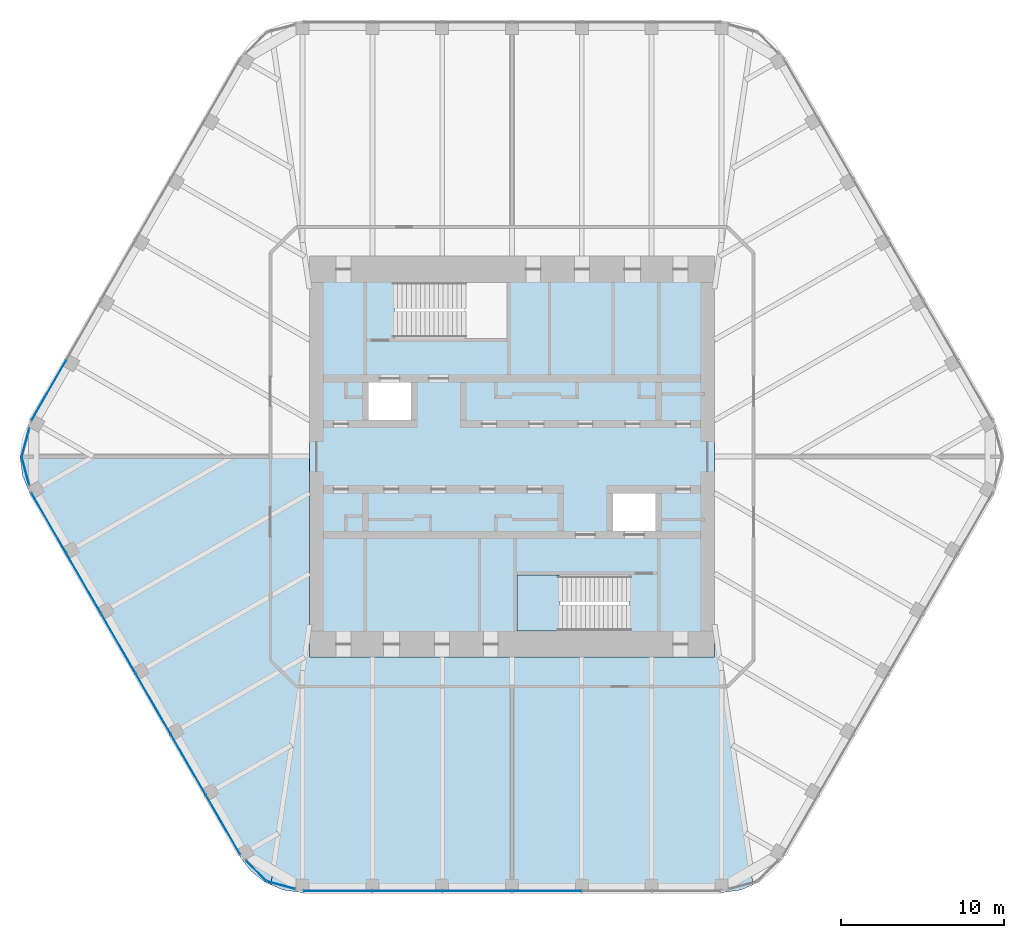
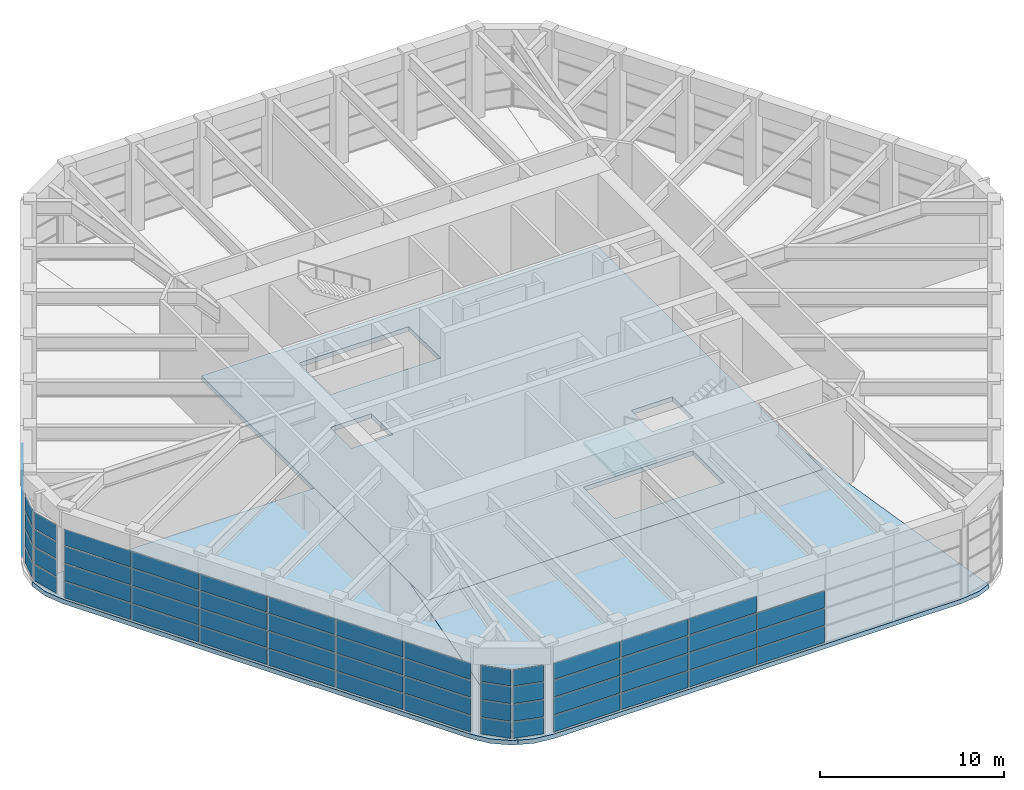
# One storey, part 10 of 16: 59 plates, 4 slabs, 8 elements without a shape of their own.
"""IFC4 building model written with IfcOpenShell, lengths in metres."""

from ifc_helpers import new_model, si_unit, direction, frame, origin, origin_2d, place, context, subcontext, project, spatial, polyline, rectangle, outline, extrude, material, layer, layer_set, type_object, element, aggregate, save


model = new_model("IFC4")

# Units and contexts
model_context = context("Model", 3, precision=1e-05, world=origin(), true_north=direction((0.0, 1.0)))
body_context = subcontext(model_context, "Body", "Model", "MODEL_VIEW")
ifc_project = project(units=[si_unit("LENGTHUNIT", "METRE"), si_unit("AREAUNIT", "SQUARE_METRE"), si_unit("VOLUMEUNIT", "CUBIC_METRE"), si_unit("PLANEANGLEUNIT", "RADIAN"), si_unit("MASSUNIT", "GRAM", prefix="KILO")], contexts=[model_context])

# Site, building, storey
site_placement = place(None, origin())
site = spatial("IfcSite", under=ifc_project, at=site_placement, CompositionType="ELEMENT")
building_placement = place(site_placement, origin())
building = spatial("IfcBuilding", under=site, at=building_placement, Name="Tarfa Lantern Tower", CompositionType="ELEMENT")
storey_placement = place(building_placement, frame((0.0, 0.0, 396.300048828125)))
storey = spatial("IfcBuildingStorey", under=building, at=storey_placement, Name="L90", CompositionType="ELEMENT", Elevation=396.300048828125)

# Curtain wall, plates
ifc_material_1 = material(Name="Aluminium framed curtain wall", Category="aluminium")
curtain_wall_type = type_object("IfcCurtainWallType", Name="CW8 LANTERN GLAZING 4700", PredefinedType="USERDEFINED", material=ifc_material_1)
curtain_wall_1_placement = place(storey_placement, origin())
curtain_wall_1 = element("IfcCurtainWall", 1, at=curtain_wall_1_placement, inside=storey, type_object=curtain_wall_type, Name="CW8 NWSW1 L90", ObjectType="CURTAIN WALL", PredefinedType="USERDEFINED")
ifc_material_2 = material(Name="Laminated double glazing", Category="glass")
ifc_layer_1 = layer(ifc_material_2, 0.028076171875)
ifc_layer_set_1 = layer_set([ifc_layer_1], Name="CWP1 DOUBLE GLAZED PANEL")
plate_type = type_object("IfcPlateType", Name="CWP1 DOUBLE GLAZED PANEL", PredefinedType="CURTAIN_PANEL", material=ifc_layer_set_1)
plate_1_placement = place(storey_placement, frame((-29.8544921875, 0.886962890625, 0.06494140625), z_axis=(0.0, 0.0, 1.0), x_axis=(-0.258818953611, -0.965925850804, 0.0)))
plate_1 = element("IfcPlate", 2, at=plate_1_placement, type_object=plate_type, Name="CW8 panel 1.1", PredefinedType="CURTAIN_PANEL", context=body_context, shape_type="SweptSolid", body=[
    extrude(rectangle(XDim=1.706787109375, YDim=0.028076171875, at=origin_2d()), origin(), (0.0, 0.0, 1.0), 1.077392578125),
])
plate_2_placement = place(storey_placement, frame((-29.8544921875, 0.886962890625, 1.20751953125), z_axis=(0.0, 0.0, 1.0), x_axis=(-0.258818953611, -0.965925850804, 0.0)))
plate_2 = element("IfcPlate", 3, at=plate_2_placement, type_object=plate_type, Name="CW8 panel 1.2", PredefinedType="CURTAIN_PANEL", context=body_context, shape_type="SweptSolid", body=[
    extrude(rectangle(XDim=1.706787109375, YDim=0.028076171875, at=origin_2d()), origin(), (0.0, 0.0, 1.0), 1.110107421875),
])
plate_3_placement = place(storey_placement, frame((-29.8544921875, 0.886962890625, 2.38232421875), z_axis=(0.0, 0.0, 1.0), x_axis=(-0.258818953611, -0.965925850804, 0.0)))
plate_3 = element("IfcPlate", 4, at=plate_3_placement, type_object=plate_type, Name="CW8 panel 1.3", PredefinedType="CURTAIN_PANEL", context=body_context, shape_type="SweptSolid", body=[
    extrude(rectangle(XDim=1.706787109375, YDim=0.028076171875, at=origin_2d()), origin(), (0.0, 0.0, 1.0), 1.110107421875),
])
plate_4_placement = place(storey_placement, frame((-29.8544921875, 0.886962890625, 3.5576171875), z_axis=(0.0, 0.0, 1.0), x_axis=(-0.258818953611, -0.965925850804, 0.0)))
plate_4 = element("IfcPlate", 5, at=plate_4_placement, type_object=plate_type, Name="CW8 panel 1.4", PredefinedType="CURTAIN_PANEL", context=body_context, shape_type="SweptSolid", body=[
    extrude(rectangle(XDim=1.706787109375, YDim=0.028076171875, at=origin_2d()), origin(), (0.0, 0.0, 1.0), 1.077392578125),
])
aggregate(curtain_wall_1, [plate_1, plate_2, plate_3, plate_4])

curtain_wall_2_placement = place(storey_placement, origin())
curtain_wall_2 = element("IfcCurtainWall", 6, at=curtain_wall_2_placement, inside=storey, type_object=curtain_wall_type, Name="CW8 NWSW2 L90", ObjectType="CURTAIN WALL", PredefinedType="USERDEFINED")
plate_5_placement = place(storey_placement, frame((-29.8544921875, -0.886962890625, 0.06494140625), z_axis=(0.0, 0.0, 1.0), x_axis=(0.258818953611, -0.965925850804, 0.0)))
plate_5 = element("IfcPlate", 7, at=plate_5_placement, type_object=plate_type, Name="CW8 panel 1.1", PredefinedType="CURTAIN_PANEL", context=body_context, shape_type="SweptSolid", body=[
    extrude(rectangle(XDim=1.706787109375, YDim=0.028076171875, at=origin_2d()), origin(), (0.0, 0.0, 1.0), 1.077392578125),
])
plate_6_placement = place(storey_placement, frame((-29.8544921875, -0.886962890625, 1.20751953125), z_axis=(0.0, 0.0, 1.0), x_axis=(0.258818953611, -0.965925850804, 0.0)))
plate_6 = element("IfcPlate", 8, at=plate_6_placement, type_object=plate_type, Name="CW8 panel 1.2", PredefinedType="CURTAIN_PANEL", context=body_context, shape_type="SweptSolid", body=[
    extrude(rectangle(XDim=1.706787109375, YDim=0.028076171875, at=origin_2d()), origin(), (0.0, 0.0, 1.0), 1.110107421875),
])
plate_7_placement = place(storey_placement, frame((-29.8544921875, -0.886962890625, 2.38232421875), z_axis=(0.0, 0.0, 1.0), x_axis=(0.258818953611, -0.965925850804, 0.0)))
plate_7 = element("IfcPlate", 9, at=plate_7_placement, type_object=plate_type, Name="CW8 panel 1.3", PredefinedType="CURTAIN_PANEL", context=body_context, shape_type="SweptSolid", body=[
    extrude(rectangle(XDim=1.706787109375, YDim=0.028076171875, at=origin_2d()), origin(), (0.0, 0.0, 1.0), 1.110107421875),
])
plate_8_placement = place(storey_placement, frame((-29.8544921875, -0.886962890625, 3.5576171875), z_axis=(0.0, 0.0, 1.0), x_axis=(0.258818953611, -0.965925850804, 0.0)))
plate_8 = element("IfcPlate", 10, at=plate_8_placement, type_object=plate_type, Name="CW8 panel 1.4", PredefinedType="CURTAIN_PANEL", context=body_context, shape_type="SweptSolid", body=[
    extrude(rectangle(XDim=1.706787109375, YDim=0.028076171875, at=origin_2d()), origin(), (0.0, 0.0, 1.0), 1.077392578125),
])
aggregate(curtain_wall_2, [plate_5, plate_6, plate_7, plate_8])

curtain_wall_3_placement = place(storey_placement, origin())
curtain_wall_3 = element("IfcCurtainWall", 11, at=curtain_wall_3_placement, inside=storey, type_object=curtain_wall_type, Name="CW8 SWS1 L90", ObjectType="CURTAIN WALL", PredefinedType="USERDEFINED")
plate_9_placement = place(storey_placement, frame((-15.6953125, -25.4111328125, 0.06494140625), z_axis=(0.0, 0.0, 1.0), x_axis=(0.707106781187, -0.707106781187, 0.0)))
plate_9 = element("IfcPlate", 12, at=plate_9_placement, type_object=plate_type, Name="CW8 panel 1.1", PredefinedType="CURTAIN_PANEL", context=body_context, shape_type="SweptSolid", body=[
    extrude(rectangle(XDim=1.706787109375, YDim=0.028076171875, at=origin_2d()), origin(), (0.0, 0.0, 1.0), 1.077392578125),
])
plate_10_placement = place(storey_placement, frame((-15.6953125, -25.4111328125, 1.20751953125), z_axis=(0.0, 0.0, 1.0), x_axis=(0.707106781187, -0.707106781187, 0.0)))
plate_10 = element("IfcPlate", 13, at=plate_10_placement, type_object=plate_type, Name="CW8 panel 1.2", PredefinedType="CURTAIN_PANEL", context=body_context, shape_type="SweptSolid", body=[
    extrude(rectangle(XDim=1.706787109375, YDim=0.028076171875, at=origin_2d()), origin(), (0.0, 0.0, 1.0), 1.110107421875),
])
plate_11_placement = place(storey_placement, frame((-15.6953125, -25.4111328125, 2.38232421875), z_axis=(0.0, 0.0, 1.0), x_axis=(0.707106781187, -0.707106781187, 0.0)))
plate_11 = element("IfcPlate", 14, at=plate_11_placement, type_object=plate_type, Name="CW8 panel 1.3", PredefinedType="CURTAIN_PANEL", context=body_context, shape_type="SweptSolid", body=[
    extrude(rectangle(XDim=1.706787109375, YDim=0.028076171875, at=origin_2d()), origin(), (0.0, 0.0, 1.0), 1.110107421875),
])
plate_12_placement = place(storey_placement, frame((-15.6953125, -25.4111328125, 3.5576171875), z_axis=(0.0, 0.0, 1.0), x_axis=(0.707106781187, -0.707106781187, 0.0)))
plate_12 = element("IfcPlate", 15, at=plate_12_placement, type_object=plate_type, Name="CW8 panel 1.4", PredefinedType="CURTAIN_PANEL", context=body_context, shape_type="SweptSolid", body=[
    extrude(rectangle(XDim=1.706787109375, YDim=0.028076171875, at=origin_2d()), origin(), (0.0, 0.0, 1.0), 1.077392578125),
])
aggregate(curtain_wall_3, [plate_9, plate_10, plate_11, plate_12])

curtain_wall_4_placement = place(storey_placement, origin())
curtain_wall_4 = element("IfcCurtainWall", 16, at=curtain_wall_4_placement, inside=storey, type_object=curtain_wall_type, Name="CW8 SWS2 L90", ObjectType="CURTAIN WALL", PredefinedType="USERDEFINED")
plate_13_placement = place(storey_placement, frame((-14.158935546875, -26.298095703125, 0.06494140625), z_axis=(0.0, 0.0, 1.0), x_axis=(0.965925850804, -0.258818953611, 0.0)))
plate_13 = element("IfcPlate", 17, at=plate_13_placement, type_object=plate_type, Name="CW8 panel 1.1", PredefinedType="CURTAIN_PANEL", context=body_context, shape_type="SweptSolid", body=[
    extrude(rectangle(XDim=1.706787109375, YDim=0.028076171875, at=origin_2d()), origin(), (0.0, 0.0, 1.0), 1.077392578125),
])
plate_14_placement = place(storey_placement, frame((-14.158935546875, -26.298095703125, 1.20751953125), z_axis=(0.0, 0.0, 1.0), x_axis=(0.965925850804, -0.258818953611, 0.0)))
plate_14 = element("IfcPlate", 18, at=plate_14_placement, type_object=plate_type, Name="CW8 panel 1.2", PredefinedType="CURTAIN_PANEL", context=body_context, shape_type="SweptSolid", body=[
    extrude(rectangle(XDim=1.706787109375, YDim=0.028076171875, at=origin_2d()), origin(), (0.0, 0.0, 1.0), 1.110107421875),
])
plate_15_placement = place(storey_placement, frame((-14.158935546875, -26.298095703125, 2.38232421875), z_axis=(0.0, 0.0, 1.0), x_axis=(0.965925850804, -0.258818953611, 0.0)))
plate_15 = element("IfcPlate", 19, at=plate_15_placement, type_object=plate_type, Name="CW8 panel 1.3", PredefinedType="CURTAIN_PANEL", context=body_context, shape_type="SweptSolid", body=[
    extrude(rectangle(XDim=1.706787109375, YDim=0.028076171875, at=origin_2d()), origin(), (0.0, 0.0, 1.0), 1.110107421875),
])
plate_16_placement = place(storey_placement, frame((-14.158935546875, -26.298095703125, 3.5576171875), z_axis=(0.0, 0.0, 1.0), x_axis=(0.965925850804, -0.258818953611, 0.0)))
plate_16 = element("IfcPlate", 20, at=plate_16_placement, type_object=plate_type, Name="CW8 panel 1.4", PredefinedType="CURTAIN_PANEL", context=body_context, shape_type="SweptSolid", body=[
    extrude(rectangle(XDim=1.706787109375, YDim=0.028076171875, at=origin_2d()), origin(), (0.0, 0.0, 1.0), 1.077392578125),
])
aggregate(curtain_wall_4, [plate_13, plate_14, plate_15, plate_16])

curtain_wall_5_placement = place(storey_placement, origin())
curtain_wall_5 = element("IfcCurtainWall", 21, at=curtain_wall_5_placement, inside=storey, type_object=curtain_wall_type, Name="CW8 NW L90", ObjectType="CURTAIN WALL", PredefinedType="USERDEFINED")
plate_17_placement = place(storey_placement, frame((-28.424072265625, 4.068359375, 0.06494140625), z_axis=(0.0, 0.0, 1.0), x_axis=(-0.5, -0.866025403784, 0.0)))
plate_17 = element("IfcPlate", 22, at=plate_17_placement, type_object=plate_type, Name="CW8 panel 6.1", PredefinedType="CURTAIN_PANEL", context=body_context, shape_type="SweptSolid", body=[
    extrude(rectangle(XDim=4.1845703125, YDim=0.028076171875, at=origin_2d()), origin(), (0.0, 0.0, 1.0), 1.077392578125),
])
plate_18_placement = place(storey_placement, frame((-28.424072265625, 4.068359375, 1.20751953125), z_axis=(0.0, 0.0, 1.0), x_axis=(-0.5, -0.866025403784, 0.0)))
plate_18 = element("IfcPlate", 23, at=plate_18_placement, type_object=plate_type, Name="CW8 panel 6.2", PredefinedType="CURTAIN_PANEL", context=body_context, shape_type="SweptSolid", body=[
    extrude(rectangle(XDim=4.1845703125, YDim=0.028076171875, at=origin_2d()), origin(), (0.0, 0.0, 1.0), 1.110107421875),
])
plate_19_placement = place(storey_placement, frame((-28.424072265625, 4.068359375, 2.38232421875), z_axis=(0.0, 0.0, 1.0), x_axis=(-0.5, -0.866025403784, 0.0)))
plate_19 = element("IfcPlate", 24, at=plate_19_placement, type_object=plate_type, Name="CW8 panel 6.3", PredefinedType="CURTAIN_PANEL", context=body_context, shape_type="SweptSolid", body=[
    extrude(rectangle(XDim=4.1845703125, YDim=0.028076171875, at=origin_2d()), origin(), (0.0, 0.0, 1.0), 1.110107421875),
])
plate_20_placement = place(storey_placement, frame((-28.424072265625, 4.068359375, 3.5576171875), z_axis=(0.0, 0.0, 1.0), x_axis=(-0.5, -0.866025403784, 0.0)))
plate_20 = element("IfcPlate", 25, at=plate_20_placement, type_object=plate_type, Name="CW8 panel 6.4", PredefinedType="CURTAIN_PANEL", context=body_context, shape_type="SweptSolid", body=[
    extrude(rectangle(XDim=4.1845703125, YDim=0.028076171875, at=origin_2d()), origin(), (0.0, 0.0, 1.0), 1.077392578125),
])
aggregate(curtain_wall_5, [plate_17, plate_18, plate_19, plate_20])

curtain_wall_6_placement = place(storey_placement, origin())
curtain_wall_6 = element("IfcCurtainWall", 26, at=curtain_wall_6_placement, inside=storey, type_object=curtain_wall_type, Name="CW8 SW L90", ObjectType="CURTAIN WALL", PredefinedType="USERDEFINED")
plate_21_placement = place(storey_placement, frame((-28.424072265625, -4.068359375, 0.06494140625), z_axis=(0.0, 0.0, 1.0), x_axis=(0.5, -0.866025403784, 0.0)))
plate_21 = element("IfcPlate", 27, at=plate_21_placement, type_object=plate_type, Name="CW8 panel 1.1", PredefinedType="CURTAIN_PANEL", context=body_context, shape_type="SweptSolid", body=[
    extrude(rectangle(XDim=4.1845703125, YDim=0.028076171875, at=origin_2d()), origin(), (0.0, 0.0, 1.0), 1.077392578125),
])
plate_22_placement = place(storey_placement, frame((-28.424072265625, -4.068359375, 1.20751953125), z_axis=(0.0, 0.0, 1.0), x_axis=(0.5, -0.866025403784, 0.0)))
plate_22 = element("IfcPlate", 28, at=plate_22_placement, type_object=plate_type, Name="CW8 panel 1.2", PredefinedType="CURTAIN_PANEL", context=body_context, shape_type="SweptSolid", body=[
    extrude(rectangle(XDim=4.1845703125, YDim=0.028076171875, at=origin_2d()), origin(), (0.0, 0.0, 1.0), 1.110107421875),
])
plate_23_placement = place(storey_placement, frame((-28.424072265625, -4.068359375, 2.38232421875), z_axis=(0.0, 0.0, 1.0), x_axis=(0.5, -0.866025403784, 0.0)))
plate_23 = element("IfcPlate", 29, at=plate_23_placement, type_object=plate_type, Name="CW8 panel 1.3", PredefinedType="CURTAIN_PANEL", context=body_context, shape_type="SweptSolid", body=[
    extrude(rectangle(XDim=4.1845703125, YDim=0.028076171875, at=origin_2d()), origin(), (0.0, 0.0, 1.0), 1.110107421875),
])
plate_24_placement = place(storey_placement, frame((-28.424072265625, -4.068359375, 3.5576171875), z_axis=(0.0, 0.0, 1.0), x_axis=(0.5, -0.866025403784, 0.0)))
plate_24 = element("IfcPlate", 30, at=plate_24_placement, type_object=plate_type, Name="CW8 panel 1.4", PredefinedType="CURTAIN_PANEL", context=body_context, shape_type="SweptSolid", body=[
    extrude(rectangle(XDim=4.1845703125, YDim=0.028076171875, at=origin_2d()), origin(), (0.0, 0.0, 1.0), 1.077392578125),
])
plate_25_placement = place(storey_placement, frame((-26.291015625, -7.762451171875, 0.06494140625), z_axis=(0.0, 0.0, 1.0), x_axis=(0.5, -0.866025403784, 0.0)))
plate_25 = element("IfcPlate", 31, at=plate_25_placement, type_object=plate_type, Name="CW8 panel 2.1", PredefinedType="CURTAIN_PANEL", context=body_context, shape_type="SweptSolid", body=[
    extrude(rectangle(XDim=4.217041015625, YDim=0.028076171875, at=origin_2d()), origin(), (0.0, 0.0, 1.0), 1.077392578125),
])
plate_26_placement = place(storey_placement, frame((-26.291015625, -7.762451171875, 1.20751953125), z_axis=(0.0, 0.0, 1.0), x_axis=(0.5, -0.866025403784, 0.0)))
plate_26 = element("IfcPlate", 32, at=plate_26_placement, type_object=plate_type, Name="CW8 panel 2.2", PredefinedType="CURTAIN_PANEL", context=body_context, shape_type="SweptSolid", body=[
    extrude(rectangle(XDim=4.217041015625, YDim=0.028076171875, at=origin_2d()), origin(), (0.0, 0.0, 1.0), 1.110107421875),
])
plate_27_placement = place(storey_placement, frame((-26.291015625, -7.762451171875, 2.38232421875), z_axis=(0.0, 0.0, 1.0), x_axis=(0.5, -0.866025403784, 0.0)))
plate_27 = element("IfcPlate", 33, at=plate_27_placement, type_object=plate_type, Name="CW8 panel 2.3", PredefinedType="CURTAIN_PANEL", context=body_context, shape_type="SweptSolid", body=[
    extrude(rectangle(XDim=4.217041015625, YDim=0.028076171875, at=origin_2d()), origin(), (0.0, 0.0, 1.0), 1.110107421875),
])
plate_28_placement = place(storey_placement, frame((-26.291015625, -7.762451171875, 3.5576171875), z_axis=(0.0, 0.0, 1.0), x_axis=(0.5, -0.866025403784, 0.0)))
plate_28 = element("IfcPlate", 34, at=plate_28_placement, type_object=plate_type, Name="CW8 panel 2.4", PredefinedType="CURTAIN_PANEL", context=body_context, shape_type="SweptSolid", body=[
    extrude(rectangle(XDim=4.217041015625, YDim=0.028076171875, at=origin_2d()), origin(), (0.0, 0.0, 1.0), 1.077392578125),
])
plate_29_placement = place(storey_placement, frame((-24.150146484375, -11.470947265625, 0.06494140625), z_axis=(0.0, 0.0, 1.0), x_axis=(0.5, -0.866025403784, 0.0)))
plate_29 = element("IfcPlate", 35, at=plate_29_placement, type_object=plate_type, Name="CW8 panel 3.1", PredefinedType="CURTAIN_PANEL", context=body_context, shape_type="SweptSolid", body=[
    extrude(rectangle(XDim=4.217041015625, YDim=0.028076171875, at=origin_2d()), origin(), (0.0, 0.0, 1.0), 1.077392578125),
])
plate_30_placement = place(storey_placement, frame((-24.150146484375, -11.470947265625, 1.20751953125), z_axis=(0.0, 0.0, 1.0), x_axis=(0.5, -0.866025403784, 0.0)))
plate_30 = element("IfcPlate", 36, at=plate_30_placement, type_object=plate_type, Name="CW8 panel 3.2", PredefinedType="CURTAIN_PANEL", context=body_context, shape_type="SweptSolid", body=[
    extrude(rectangle(XDim=4.217041015625, YDim=0.028076171875, at=origin_2d()), origin(), (0.0, 0.0, 1.0), 1.110107421875),
])
plate_31_placement = place(storey_placement, frame((-24.150146484375, -11.470947265625, 2.38232421875), z_axis=(0.0, 0.0, 1.0), x_axis=(0.5, -0.866025403784, 0.0)))
plate_31 = element("IfcPlate", 37, at=plate_31_placement, type_object=plate_type, Name="CW8 panel 3.3", PredefinedType="CURTAIN_PANEL", context=body_context, shape_type="SweptSolid", body=[
    extrude(rectangle(XDim=4.217041015625, YDim=0.028076171875, at=origin_2d()), origin(), (0.0, 0.0, 1.0), 1.110107421875),
])
plate_32_placement = place(storey_placement, frame((-24.150146484375, -11.470947265625, 3.5576171875), z_axis=(0.0, 0.0, 1.0), x_axis=(0.5, -0.866025403784, 0.0)))
plate_32 = element("IfcPlate", 38, at=plate_32_placement, type_object=plate_type, Name="CW8 panel 3.4", PredefinedType="CURTAIN_PANEL", context=body_context, shape_type="SweptSolid", body=[
    extrude(rectangle(XDim=4.217041015625, YDim=0.028076171875, at=origin_2d()), origin(), (0.0, 0.0, 1.0), 1.077392578125),
])
plate_33_placement = place(storey_placement, frame((-22.009033203125, -15.17919921875, 0.06494140625), z_axis=(0.0, 0.0, 1.0), x_axis=(0.5, -0.866025403784, 0.0)))
plate_33 = element("IfcPlate", 39, at=plate_33_placement, type_object=plate_type, Name="CW8 panel 4.1", PredefinedType="CURTAIN_PANEL", context=body_context, shape_type="SweptSolid", body=[
    extrude(rectangle(XDim=4.217041015625, YDim=0.028076171875, at=origin_2d()), origin(), (0.0, 0.0, 1.0), 1.077392578125),
])
plate_34_placement = place(storey_placement, frame((-22.009033203125, -15.17919921875, 1.20751953125), z_axis=(0.0, 0.0, 1.0), x_axis=(0.5, -0.866025403784, 0.0)))
plate_34 = element("IfcPlate", 40, at=plate_34_placement, type_object=plate_type, Name="CW8 panel 4.2", PredefinedType="CURTAIN_PANEL", context=body_context, shape_type="SweptSolid", body=[
    extrude(rectangle(XDim=4.217041015625, YDim=0.028076171875, at=origin_2d()), origin(), (0.0, 0.0, 1.0), 1.110107421875),
])
plate_35_placement = place(storey_placement, frame((-22.009033203125, -15.17919921875, 2.38232421875), z_axis=(0.0, 0.0, 1.0), x_axis=(0.5, -0.866025403784, 0.0)))
plate_35 = element("IfcPlate", 41, at=plate_35_placement, type_object=plate_type, Name="CW8 panel 4.3", PredefinedType="CURTAIN_PANEL", context=body_context, shape_type="SweptSolid", body=[
    extrude(rectangle(XDim=4.217041015625, YDim=0.028076171875, at=origin_2d()), origin(), (0.0, 0.0, 1.0), 1.110107421875),
])
plate_36_placement = place(storey_placement, frame((-22.009033203125, -15.17919921875, 3.5576171875), z_axis=(0.0, 0.0, 1.0), x_axis=(0.5, -0.866025403784, 0.0)))
plate_36 = element("IfcPlate", 42, at=plate_36_placement, type_object=plate_type, Name="CW8 panel 4.4", PredefinedType="CURTAIN_PANEL", context=body_context, shape_type="SweptSolid", body=[
    extrude(rectangle(XDim=4.217041015625, YDim=0.028076171875, at=origin_2d()), origin(), (0.0, 0.0, 1.0), 1.077392578125),
])
plate_37_placement = place(storey_placement, frame((-19.8681640625, -18.887451171875, 0.06494140625), z_axis=(0.0, 0.0, 1.0), x_axis=(0.5, -0.866025403784, 0.0)))
plate_37 = element("IfcPlate", 43, at=plate_37_placement, type_object=plate_type, Name="CW8 panel 5.1", PredefinedType="CURTAIN_PANEL", context=body_context, shape_type="SweptSolid", body=[
    extrude(rectangle(XDim=4.217041015625, YDim=0.028076171875, at=origin_2d()), origin(), (0.0, 0.0, 1.0), 1.077392578125),
])
plate_38_placement = place(storey_placement, frame((-19.8681640625, -18.887451171875, 1.20751953125), z_axis=(0.0, 0.0, 1.0), x_axis=(0.5, -0.866025403784, 0.0)))
plate_38 = element("IfcPlate", 44, at=plate_38_placement, type_object=plate_type, Name="CW8 panel 5.2", PredefinedType="CURTAIN_PANEL", context=body_context, shape_type="SweptSolid", body=[
    extrude(rectangle(XDim=4.217041015625, YDim=0.028076171875, at=origin_2d()), origin(), (0.0, 0.0, 1.0), 1.110107421875),
])
plate_39_placement = place(storey_placement, frame((-19.8681640625, -18.887451171875, 2.38232421875), z_axis=(0.0, 0.0, 1.0), x_axis=(0.5, -0.866025403784, 0.0)))
plate_39 = element("IfcPlate", 45, at=plate_39_placement, type_object=plate_type, Name="CW8 panel 5.3", PredefinedType="CURTAIN_PANEL", context=body_context, shape_type="SweptSolid", body=[
    extrude(rectangle(XDim=4.217041015625, YDim=0.028076171875, at=origin_2d()), origin(), (0.0, 0.0, 1.0), 1.110107421875),
])
plate_40_placement = place(storey_placement, frame((-19.8681640625, -18.887451171875, 3.5576171875), z_axis=(0.0, 0.0, 1.0), x_axis=(0.5, -0.866025403784, 0.0)))
plate_40 = element("IfcPlate", 46, at=plate_40_placement, type_object=plate_type, Name="CW8 panel 5.4", PredefinedType="CURTAIN_PANEL", context=body_context, shape_type="SweptSolid", body=[
    extrude(rectangle(XDim=4.217041015625, YDim=0.028076171875, at=origin_2d()), origin(), (0.0, 0.0, 1.0), 1.077392578125),
])
plate_41_placement = place(storey_placement, frame((-17.735107421875, -22.581787109375, 0.06494140625), z_axis=(0.0, 0.0, 1.0), x_axis=(0.5, -0.866025403784, 0.0)))
plate_41 = element("IfcPlate", 47, at=plate_41_placement, type_object=plate_type, Name="CW8 panel 6.1", PredefinedType="CURTAIN_PANEL", context=body_context, shape_type="SweptSolid", body=[
    extrude(rectangle(XDim=4.1845703125, YDim=0.028076171875, at=origin_2d()), origin(), (0.0, 0.0, 1.0), 1.077392578125),
])
plate_42_placement = place(storey_placement, frame((-17.735107421875, -22.581787109375, 1.20751953125), z_axis=(0.0, 0.0, 1.0), x_axis=(0.5, -0.866025403784, 0.0)))
plate_42 = element("IfcPlate", 48, at=plate_42_placement, type_object=plate_type, Name="CW8 panel 6.2", PredefinedType="CURTAIN_PANEL", context=body_context, shape_type="SweptSolid", body=[
    extrude(rectangle(XDim=4.1845703125, YDim=0.028076171875, at=origin_2d()), origin(), (0.0, 0.0, 1.0), 1.110107421875),
])
plate_43_placement = place(storey_placement, frame((-17.735107421875, -22.581787109375, 2.38232421875), z_axis=(0.0, 0.0, 1.0), x_axis=(0.5, -0.866025403784, 0.0)))
plate_43 = element("IfcPlate", 49, at=plate_43_placement, type_object=plate_type, Name="CW8 panel 6.3", PredefinedType="CURTAIN_PANEL", context=body_context, shape_type="SweptSolid", body=[
    extrude(rectangle(XDim=4.1845703125, YDim=0.028076171875, at=origin_2d()), origin(), (0.0, 0.0, 1.0), 1.110107421875),
])
plate_44_placement = place(storey_placement, frame((-17.735107421875, -22.581787109375, 3.5576171875), z_axis=(0.0, 0.0, 1.0), x_axis=(0.5, -0.866025403784, 0.0)))
plate_44 = element("IfcPlate", 50, at=plate_44_placement, type_object=plate_type, Name="CW8 panel 6.4", PredefinedType="CURTAIN_PANEL", context=body_context, shape_type="SweptSolid", body=[
    extrude(rectangle(XDim=4.1845703125, YDim=0.028076171875, at=origin_2d()), origin(), (0.0, 0.0, 1.0), 1.077392578125),
])
aggregate(curtain_wall_6, [plate_21, plate_22, plate_23, plate_24, plate_25, plate_26, plate_27, plate_28, plate_29, plate_30, plate_31, plate_32, plate_33, plate_34, plate_35, plate_36, plate_37, plate_38, plate_39, plate_40, plate_41, plate_42, plate_43, plate_44])

curtain_wall_7_placement = place(storey_placement, origin())
curtain_wall_7 = element("IfcCurtainWall", 51, at=curtain_wall_7_placement, inside=storey, type_object=curtain_wall_type, Name="CW8 S L90", ObjectType="CURTAIN WALL", PredefinedType="USERDEFINED")
plate_45_placement = place(storey_placement, frame((-10.688720703125, -26.64990234375, 0.06494140625), z_axis=(0.0, 0.0, 1.0), x_axis=(1.0, 0.0, 0.0)))
plate_45 = element("IfcPlate", 52, at=plate_45_placement, type_object=plate_type, Name="CW8 panel 1.1", PredefinedType="CURTAIN_PANEL", context=body_context, shape_type="SweptSolid", body=[
    extrude(rectangle(XDim=4.1845703125, YDim=0.028076171875, at=origin_2d()), origin(), (0.0, 0.0, 1.0), 1.077392578125),
])
plate_46_placement = place(storey_placement, frame((-10.688720703125, -26.64990234375, 1.20751953125), z_axis=(0.0, 0.0, 1.0), x_axis=(1.0, 0.0, 0.0)))
plate_46 = element("IfcPlate", 53, at=plate_46_placement, type_object=plate_type, Name="CW8 panel 1.2", PredefinedType="CURTAIN_PANEL", context=body_context, shape_type="SweptSolid", body=[
    extrude(rectangle(XDim=4.1845703125, YDim=0.028076171875, at=origin_2d()), origin(), (0.0, 0.0, 1.0), 1.110107421875),
])
plate_47_placement = place(storey_placement, frame((-10.688720703125, -26.64990234375, 2.38232421875), z_axis=(0.0, 0.0, 1.0), x_axis=(1.0, 0.0, 0.0)))
plate_47 = element("IfcPlate", 54, at=plate_47_placement, type_object=plate_type, Name="CW8 panel 1.3", PredefinedType="CURTAIN_PANEL", context=body_context, shape_type="SweptSolid", body=[
    extrude(rectangle(XDim=4.1845703125, YDim=0.028076171875, at=origin_2d()), origin(), (0.0, 0.0, 1.0), 1.110107421875),
])
plate_48_placement = place(storey_placement, frame((-10.688720703125, -26.64990234375, 3.5576171875), z_axis=(0.0, 0.0, 1.0), x_axis=(1.0, 0.0, 0.0)))
plate_48 = element("IfcPlate", 55, at=plate_48_placement, type_object=plate_type, Name="CW8 panel 1.4", PredefinedType="CURTAIN_PANEL", context=body_context, shape_type="SweptSolid", body=[
    extrude(rectangle(XDim=4.1845703125, YDim=0.028076171875, at=origin_2d()), origin(), (0.0, 0.0, 1.0), 1.077392578125),
])
plate_49_placement = place(storey_placement, frame((-6.423095703125, -26.64990234375, 0.06494140625), z_axis=(0.0, 0.0, 1.0), x_axis=(1.0, 0.0, 0.0)))
plate_49 = element("IfcPlate", 56, at=plate_49_placement, type_object=plate_type, Name="CW8 panel 2.1", PredefinedType="CURTAIN_PANEL", context=body_context, shape_type="SweptSolid", body=[
    extrude(rectangle(XDim=4.217041015625, YDim=0.028076171875, at=origin_2d()), origin(), (0.0, 0.0, 1.0), 1.077392578125),
])
plate_50_placement = place(storey_placement, frame((-6.423095703125, -26.64990234375, 1.20751953125), z_axis=(0.0, 0.0, 1.0), x_axis=(1.0, 0.0, 0.0)))
plate_50 = element("IfcPlate", 57, at=plate_50_placement, type_object=plate_type, Name="CW8 panel 2.2", PredefinedType="CURTAIN_PANEL", context=body_context, shape_type="SweptSolid", body=[
    extrude(rectangle(XDim=4.217041015625, YDim=0.028076171875, at=origin_2d()), origin(), (0.0, 0.0, 1.0), 1.110107421875),
])
plate_51_placement = place(storey_placement, frame((-6.423095703125, -26.64990234375, 2.38232421875), z_axis=(0.0, 0.0, 1.0), x_axis=(1.0, 0.0, 0.0)))
plate_51 = element("IfcPlate", 58, at=plate_51_placement, type_object=plate_type, Name="CW8 panel 2.3", PredefinedType="CURTAIN_PANEL", context=body_context, shape_type="SweptSolid", body=[
    extrude(rectangle(XDim=4.217041015625, YDim=0.028076171875, at=origin_2d()), origin(), (0.0, 0.0, 1.0), 1.110107421875),
])
plate_52_placement = place(storey_placement, frame((-6.423095703125, -26.64990234375, 3.5576171875), z_axis=(0.0, 0.0, 1.0), x_axis=(1.0, 0.0, 0.0)))
plate_52 = element("IfcPlate", 59, at=plate_52_placement, type_object=plate_type, Name="CW8 panel 2.4", PredefinedType="CURTAIN_PANEL", context=body_context, shape_type="SweptSolid", body=[
    extrude(rectangle(XDim=4.217041015625, YDim=0.028076171875, at=origin_2d()), origin(), (0.0, 0.0, 1.0), 1.077392578125),
])
plate_53_placement = place(storey_placement, frame((-2.14111328125, -26.64990234375, 0.06494140625), z_axis=(0.0, 0.0, 1.0), x_axis=(1.0, 0.0, 0.0)))
plate_53 = element("IfcPlate", 60, at=plate_53_placement, type_object=plate_type, Name="CW8 panel 3.1", PredefinedType="CURTAIN_PANEL", context=body_context, shape_type="SweptSolid", body=[
    extrude(rectangle(XDim=4.217041015625, YDim=0.028076171875, at=origin_2d()), origin(), (0.0, 0.0, 1.0), 1.077392578125),
])
plate_54_placement = place(storey_placement, frame((-2.14111328125, -26.64990234375, 1.20751953125), z_axis=(0.0, 0.0, 1.0), x_axis=(1.0, 0.0, 0.0)))
plate_54 = element("IfcPlate", 61, at=plate_54_placement, type_object=plate_type, Name="CW8 panel 3.2", PredefinedType="CURTAIN_PANEL", context=body_context, shape_type="SweptSolid", body=[
    extrude(rectangle(XDim=4.217041015625, YDim=0.028076171875, at=origin_2d()), origin(), (0.0, 0.0, 1.0), 1.110107421875),
])
plate_55_placement = place(storey_placement, frame((-2.14111328125, -26.64990234375, 2.38232421875), z_axis=(0.0, 0.0, 1.0), x_axis=(1.0, 0.0, 0.0)))
plate_55 = element("IfcPlate", 62, at=plate_55_placement, type_object=plate_type, Name="CW8 panel 3.3", PredefinedType="CURTAIN_PANEL", context=body_context, shape_type="SweptSolid", body=[
    extrude(rectangle(XDim=4.217041015625, YDim=0.028076171875, at=origin_2d()), origin(), (0.0, 0.0, 1.0), 1.110107421875),
])
plate_56_placement = place(storey_placement, frame((-2.14111328125, -26.64990234375, 3.5576171875), z_axis=(0.0, 0.0, 1.0), x_axis=(1.0, 0.0, 0.0)))
plate_56 = element("IfcPlate", 63, at=plate_56_placement, type_object=plate_type, Name="CW8 panel 3.4", PredefinedType="CURTAIN_PANEL", context=body_context, shape_type="SweptSolid", body=[
    extrude(rectangle(XDim=4.217041015625, YDim=0.028076171875, at=origin_2d()), origin(), (0.0, 0.0, 1.0), 1.077392578125),
])
plate_57_placement = place(storey_placement, frame((2.14111328125, -26.64990234375, 0.06494140625), z_axis=(0.0, 0.0, 1.0), x_axis=(1.0, 0.0, 0.0)))
plate_57 = element("IfcPlate", 64, at=plate_57_placement, type_object=plate_type, Name="CW8 panel 4.1", PredefinedType="CURTAIN_PANEL", context=body_context, shape_type="SweptSolid", body=[
    extrude(rectangle(XDim=4.217041015625, YDim=0.028076171875, at=origin_2d()), origin(), (0.0, 0.0, 1.0), 1.077392578125),
])
plate_58_placement = place(storey_placement, frame((2.14111328125, -26.64990234375, 1.20751953125), z_axis=(0.0, 0.0, 1.0), x_axis=(1.0, 0.0, 0.0)))
plate_58 = element("IfcPlate", 65, at=plate_58_placement, type_object=plate_type, Name="CW8 panel 4.2", PredefinedType="CURTAIN_PANEL", context=body_context, shape_type="SweptSolid", body=[
    extrude(rectangle(XDim=4.217041015625, YDim=0.028076171875, at=origin_2d()), origin(), (0.0, 0.0, 1.0), 1.110107421875),
])
plate_59_placement = place(storey_placement, frame((2.14111328125, -26.64990234375, 2.38232421875), z_axis=(0.0, 0.0, 1.0), x_axis=(1.0, 0.0, 0.0)))
plate_59 = element("IfcPlate", 66, at=plate_59_placement, type_object=plate_type, Name="CW8 panel 4.3", PredefinedType="CURTAIN_PANEL", context=body_context, shape_type="SweptSolid", body=[
    extrude(rectangle(XDim=4.217041015625, YDim=0.028076171875, at=origin_2d()), origin(), (0.0, 0.0, 1.0), 1.110107421875),
])
aggregate(curtain_wall_7, [plate_45, plate_46, plate_47, plate_48, plate_49, plate_50, plate_51, plate_52, plate_53, plate_54, plate_55, plate_56, plate_57, plate_58, plate_59])

# Slabs
ifc_material_3 = material(Name="Concrete C40/50", Category="concrete")
ifc_layer_2 = layer(ifc_material_3, 0.300048828125)
ifc_layer_set_2 = layer_set([ifc_layer_2], Name="FS2 FLOOR SLAB 300")
slab_type_1 = type_object("IfcSlabType", Name="FS2 FLOOR SLAB 300", PredefinedType="FLOOR", material=ifc_layer_set_2)
slab_1_placement = place(storey_placement, frame((0.0, 0.0, -0.300048828125)))
element("IfcSlab", 67, at=slab_1_placement, inside=storey, type_object=slab_type_1, Name="Floor slab L90", PredefinedType="FLOOR", context=body_context, shape_type="SweptSolid", body=[
    extrude(outline(polyline([(-12.425048828125, -12.300048828125), (12.425048828125, -12.300048828125), (12.425048828125, 12.300048828125), (-12.425048828125, 12.300048828125), (-12.425048828125, -12.300048828125)]), holes=[polyline([(-8.800048828125, 2.25), (-6.199951171875, 2.25), (-6.199951171875, 4.550048828125), (-8.800048828125, 4.550048828125), (-8.800048828125, 2.25)]), polyline([(8.800048828125, -2.25), (6.199951171875, -2.25), (6.199951171875, -4.550048828125), (8.800048828125, -4.550048828125), (8.800048828125, -2.25)]), polyline([(-7.199951171875, 7.25), (-0.300048828125, 7.25), (-0.300048828125, 10.699951171875), (-7.199951171875, 10.699951171875), (-7.199951171875, 7.25)]), polyline([(7.199951171875, -7.25), (0.300048828125, -7.25), (0.300048828125, -10.699951171875), (7.199951171875, -10.699951171875), (7.199951171875, -7.25)])]), origin(), (0.0, 0.0, 1.0), 0.300048828125),
])
slab_2_placement = place(storey_placement, frame((0.0, 0.0, -0.300048828125)))
element("IfcSlab", 68, at=slab_2_placement, inside=storey, type_object=slab_type_1, Name="Floor slab L90 SW bay", PredefinedType="FLOOR", context=body_context, shape_type="SweptSolid", body=[
    extrude(outline(polyline([(-12.427001953125, -10.2998046875), (-12.427001953125, -0.001953125), (-30.189697265625, -0.001953125), (-30.036865234375, -1.1640625), (-29.58740234375, -2.2490234375), (-16.741455078125, -24.498779296875), (-16.026611328125, -25.4306640625), (-15.094970703125, -26.145263671875), (-14.802001953125, -26.2666015625), (-12.427001953125, -10.2998046875)])), origin(), (0.0, 0.0, 1.0), 0.300048828125),
])
slab_3_placement = place(storey_placement, frame((0.0, 0.0, -0.300048828125)))
element("IfcSlab", 69, at=slab_3_placement, inside=storey, type_object=slab_type_1, Name="Floor slab L90 S bay", PredefinedType="FLOOR", context=body_context, shape_type="SweptSolid", body=[
    extrude(outline(polyline([(12.427001953125, -10.3271484375), (12.427001953125, -12.302001953125), (-12.427001953125, -12.302001953125), (-12.427001953125, -10.3271484375), (-14.79833984375, -26.268310546875), (-14.01025390625, -26.5947265625), (-12.845947265625, -26.748046875), (12.845947265625, -26.748046875), (14.01025390625, -26.5947265625), (14.79833984375, -26.268310546875), (12.427001953125, -10.3271484375)])), origin(), (0.0, 0.0, 1.0), 0.300048828125),
])

# Stair, slab
stair_type = type_object("IfcStairType", Name="ST-T5 HALF-TURN STAIR 6000 RISE", PredefinedType="HALF_TURN_STAIR", material=ifc_material_3)
stair_placement = place(storey_placement, origin())
stair = element("IfcStair", 70, at=stair_placement, inside=storey, type_object=stair_type, Name="Stair ST2", PredefinedType="HALF_TURN_STAIR")
ifc_layer_3 = layer(ifc_material_3, 0.199951171875)
ifc_layer_set_3 = layer_set([ifc_layer_3], Name="SL1 STAIR LANDING 200")
slab_type_2 = type_object("IfcSlabType", Name="SL1 STAIR LANDING 200", PredefinedType="LANDING", material=ifc_layer_set_3)
slab_4_placement = place(storey_placement, frame((0.0, 0.0, 2.800048828125)))
slab_4 = element("IfcSlab", 71, at=slab_4_placement, type_object=slab_type_2, Name="ST2 landing 1", PredefinedType="LANDING", context=body_context, shape_type="SweptSolid", body=[
    extrude(outline(polyline([(2.919921875, -7.25), (0.300048828125, -7.25), (0.300048828125, -10.699951171875), (2.919921875, -10.699951171875), (2.919921875, -7.25)])), origin(), (0.0, 0.0, 1.0), 0.199951171875),
])
aggregate(stair, [slab_4])

save(model, "model.ifc")
